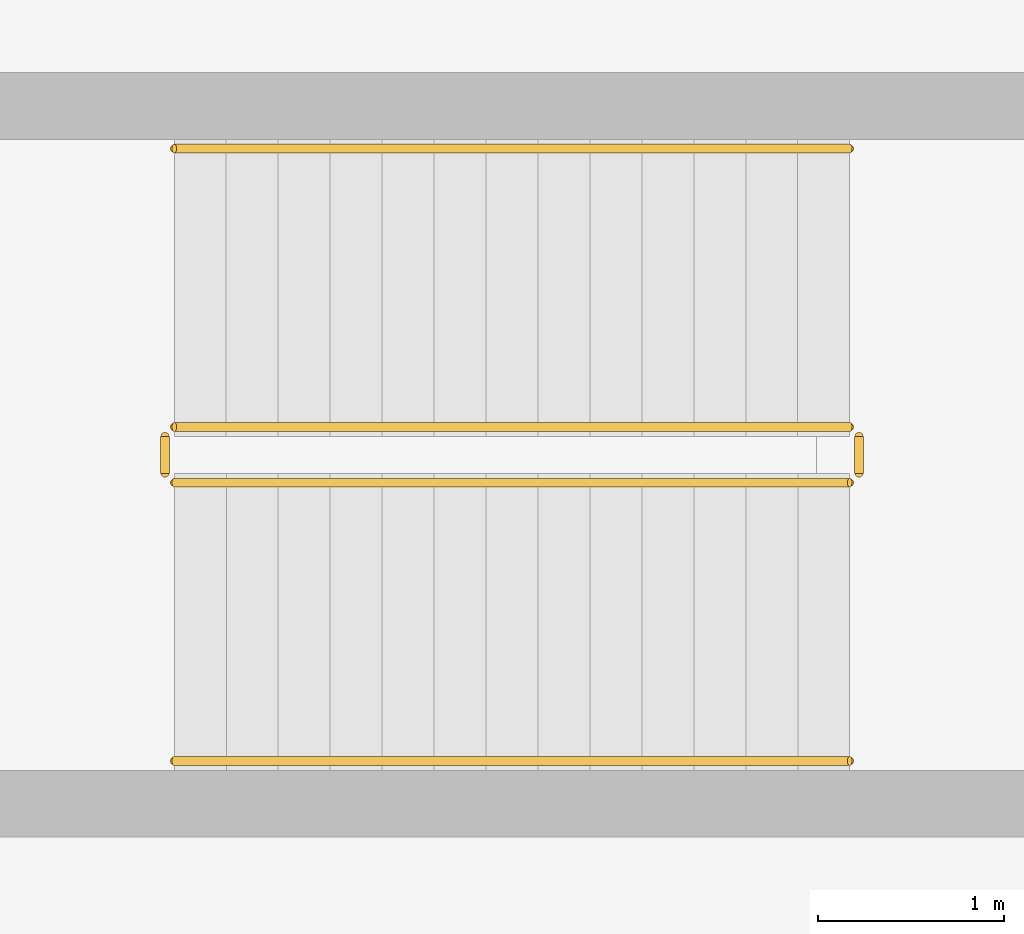
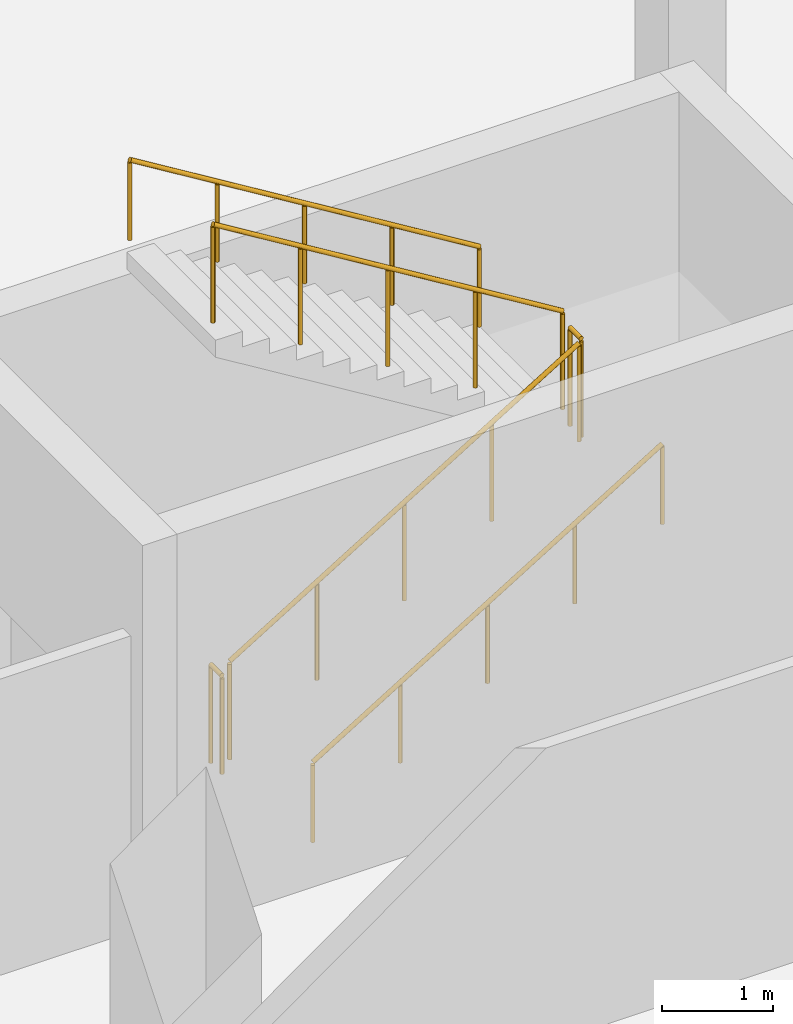
# One storey, part 26 of 28: 6 railings.
"""IFC4 building model written with IfcOpenShell, lengths in metres."""

import ifcopenshell
import ifcopenshell.guid

model = None  # the IFC model being written
_history = None  # IfcOwnerHistory: only IFC2X3 demands one
_inside = {}  # id of a spatial element -> (the spatial element, [elements in it])
_under = {}  # id of a project, library or spatial element -> (it, [spatial elements below it])
_declared = {}  # id of a project -> (the project, [libraries it declares])
_typed = {}  # id of a type object -> (the type object, [elements of that type])
_made_of = {}  # id of a material, layer set ... -> (it, [elements and type objects made of it])


def new_model(schema):
    """Start an empty IFC model of exactly this schema.

    Asked for "IFC4X3", IfcOpenShell would pick the latest addendum, in which some entities
    have other attributes; the version numbers below select the first issue.
    IFC2X3 requires an IfcOwnerHistory on every rooted entity: one is made here for all.
    """
    global model, _history
    if schema == "IFC4X3":
        model = ifcopenshell.file(schema_version=(4, 3, 0, 0))
    else:
        model = ifcopenshell.file(schema=schema)
    _inside.clear()
    _under.clear()
    _declared.clear()
    _typed.clear()
    _made_of.clear()
    _history = None
    if model.schema == "IFC2X3":
        org = make("IfcOrganization", Name="unknown")
        user = make(
            "IfcPersonAndOrganization",
            ThePerson=make("IfcPerson", FamilyName="unknown"),
            TheOrganization=org,
        )
        app = make(
            "IfcApplication",
            ApplicationDeveloper=org,
            Version="unknown",
            ApplicationFullName="unknown",
            ApplicationIdentifier="unknown",
        )
        _history = make(
            "IfcOwnerHistory",
            OwningUser=user,
            OwningApplication=app,
            ChangeAction="ADDED",
            CreationDate=0,
        )
    return model


def make(cls, **values):
    """One entity of the class cls with the attributes given. An attribute that is None is left unset."""
    return model.create_entity(
        cls, **{name: value for name, value in values.items() if value is not None}
    )


def rooted(cls, **values):
    """An entity with a GlobalId (a new one), such as an element, a storey or a relation."""
    return make(cls, GlobalId=ifcopenshell.guid.new(), OwnerHistory=_history, **values)


def si_unit(unit_type, name, prefix=None):
    """IfcSIUnit, for example si_unit("LENGTHUNIT", "METRE", prefix="MILLI")."""
    return make("IfcSIUnit", UnitType=unit_type, Prefix=prefix, Name=name)


def assignment(units):
    """IfcUnitAssignment: the units of a project."""
    return None if units is None else make("IfcUnitAssignment", Units=units)


def point(xyz):
    """IfcCartesianPoint."""
    return None if xyz is None else make("IfcCartesianPoint", Coordinates=xyz)


def direction(xyz):
    """IfcDirection."""
    return None if xyz is None else make("IfcDirection", DirectionRatios=xyz)


def frame(location, z_axis=None, x_axis=None):
    """IfcAxis2Placement3D, a coordinate frame: its origin and axes. An axis left out is left unset."""
    return make(
        "IfcAxis2Placement3D",
        Location=point(location),
        Axis=direction(z_axis),
        RefDirection=direction(x_axis),
    )


def frame_2d(location, x_axis=None):
    """IfcAxis2Placement2D, a coordinate frame in the plane: its origin and x axis."""
    return make(
        "IfcAxis2Placement2D", Location=point(location), RefDirection=direction(x_axis)
    )


def origin():
    """The frame at (0, 0, 0) with its axes left unset."""
    return frame((0.0, 0.0, 0.0))


def origin_2d():
    """The frame at (0, 0) in the plane with its x axis left unset."""
    return frame_2d((0.0, 0.0))


def place(relative_to, where):
    """IfcLocalPlacement: puts the frame where relative to a parent placement (None: the world)."""
    return make(
        "IfcLocalPlacement", PlacementRelTo=relative_to, RelativePlacement=where
    )


def context(
    kind, dimensions, precision=None, world=None, true_north=None, identifier=None
):
    """IfcGeometricRepresentationContext, for example the 3D "Model" context."""
    return make(
        "IfcGeometricRepresentationContext",
        ContextIdentifier=identifier,
        ContextType=kind,
        CoordinateSpaceDimension=dimensions,
        Precision=precision,
        WorldCoordinateSystem=world,
        TrueNorth=true_north,
    )


def subcontext(parent, identifier, kind, view, scale=None):
    """IfcGeometricRepresentationSubContext, for example "Body" below "Model"."""
    return make(
        "IfcGeometricRepresentationSubContext",
        ContextIdentifier=identifier,
        ContextType=kind,
        ParentContext=parent,
        TargetScale=scale,
        TargetView=view,
    )


def project(units=None, contexts=None):
    """IfcProject with its units and contexts."""
    return rooted(
        "IfcProject",
        Name="project",
        RepresentationContexts=contexts,
        UnitsInContext=assignment(units),
    )


def spatial(cls, under=None, at=None, **own):
    """A site, building, storey or space (cls), placed at a placement, below another one or the project."""
    s = rooted(cls, ObjectPlacement=at, **own)
    if under is not None:
        _under.setdefault(under.id(), (under, []))[1].append(s)
    return s


def profile(cls, at=None, kind="AREA", **sizes):
    """A parametric profile (cls). Its sizes go by their IFC names, for example OverallWidth=200.0."""
    return make(cls, ProfileType=kind, Position=at, **sizes)


def circle(**sizes):
    """IfcCircleProfileDef."""
    return profile("IfcCircleProfileDef", **sizes)


def extrude(swept, where, along, depth):
    """IfcExtrudedAreaSolid: the profile swept, set in the frame where, extruded along a direction by depth."""
    return make(
        "IfcExtrudedAreaSolid",
        SweptArea=swept,
        Position=where,
        ExtrudedDirection=direction(along),
        Depth=depth,
    )


def shape(context_of_items, identifier, shape_type, items):
    """IfcShapeRepresentation: the items that make up one representation, for example the "Body"."""
    return make(
        "IfcShapeRepresentation",
        ContextOfItems=context_of_items,
        RepresentationIdentifier=identifier,
        RepresentationType=shape_type,
        Items=items,
    )


def material(Name=None, Category=None):
    """IfcMaterial."""
    return make("IfcMaterial", Name=Name, Category=Category)


def made_of(thing, what):
    """Note that an element or type object is made of a material, layer set ...; save() writes the relation."""
    if what is not None:
        _made_of.setdefault(what.id(), (what, []))[1].append(thing)
    return thing


def type_object(cls, material=None, **own):
    """A type object (cls), such as IfcWallType, which elements share."""
    return made_of(rooted(cls, **own), material)


def element(
    cls,
    number,
    at=None,
    inside=None,
    cuts=None,
    type_object=None,
    material=None,
    context=None,
    identifier="Body",
    shape_type=None,
    held_by="IfcProductDefinitionShape",
    body=None,
    shapes=None,
    **own,
):
    """One element of the class cls, such as IfcWall. Its Tag is "e" and its number.

    at: its placement. inside: the storey or other place that contains it. cuts: it is an
    opening in that element (IfcRelVoidsElement). A single representation is given by context,
    identifier, shape_type and body (its items); several are given by shapes. held_by: the class
    of the entity that holds the representations. save() writes the other relations.
    """
    e = rooted(cls, Tag="e%d" % number, ObjectPlacement=at, **own)
    if body is not None:
        shapes = [shape(context, identifier, shape_type, body)]
    if shapes is not None:
        e.Representation = make(held_by, Representations=shapes)
    if inside is not None:
        _inside.setdefault(inside.id(), (inside, []))[1].append(e)
    if cuts is not None:
        rooted(
            "IfcRelVoidsElement", RelatingBuildingElement=cuts, RelatedOpeningElement=e
        )
    if type_object is not None:
        _typed.setdefault(type_object.id(), (type_object, []))[1].append(e)
    return made_of(e, material)


def aggregate(whole, parts):
    """IfcRelAggregates: a whole, such as a stair, and the parts it consists of."""
    return rooted("IfcRelAggregates", RelatingObject=whole, RelatedObjects=parts)


def save(model, path):
    """Write the relations noted so far, then the file.

    IfcRelAggregates (storeys below a building ...), IfcRelContainedInSpatialStructure (elements
    in a storey), IfcRelDefinesByType, IfcRelAssociatesMaterial and IfcRelDeclares: one each for
    every whole, place, type object, material and project.
    """
    for whole, parts in _under.values():
        aggregate(whole, parts)
    for where, things in _inside.values():
        rooted(
            "IfcRelContainedInSpatialStructure",
            RelatedElements=things,
            RelatingStructure=where,
        )
    for kind, things in _typed.values():
        rooted("IfcRelDefinesByType", RelatedObjects=things, RelatingType=kind)
    for what, things in _made_of.values():
        rooted("IfcRelAssociatesMaterial", RelatedObjects=things, RelatingMaterial=what)
    for by, libraries in _declared.values():
        rooted("IfcRelDeclares", RelatingContext=by, RelatedDefinitions=libraries)
    model.write(path)


model = new_model("IFC4")

# Units and contexts
model_context = context("Model", 3, precision=1e-05, world=origin(), true_north=direction((0.0, 1.0)))
body_context = subcontext(model_context, "Body", "Model", "MODEL_VIEW")
ifc_project = project(units=[si_unit("LENGTHUNIT", "METRE"), si_unit("AREAUNIT", "SQUARE_METRE"), si_unit("VOLUMEUNIT", "CUBIC_METRE"), si_unit("PLANEANGLEUNIT", "RADIAN"), si_unit("MASSUNIT", "GRAM", prefix="KILO")], contexts=[model_context])

# Site, building, storey
site_placement = place(None, origin())
site = spatial("IfcSite", under=ifc_project, at=site_placement, CompositionType="ELEMENT")
building_placement = place(site_placement, origin())
building = spatial("IfcBuilding", under=site, at=building_placement, Name="Zereglee Splitstone Museum", CompositionType="ELEMENT")
storey_placement = place(building_placement, frame((0.0, 0.0, -4.800048828125)))
storey = spatial("IfcBuildingStorey", under=building, at=storey_placement, Name="B1", CompositionType="ELEMENT", Elevation=-4.800048828125)

# Railings
ifc_material_1 = material(Name="Painted steel S355J2 post-and-baluster guard", Category="steel")
railing_type_1 = type_object("IfcRailingType", Name="GR-03", PredefinedType="BALUSTRADE", material=ifc_material_1)
railing_1_placement = place(storey_placement, frame((268.85009765625, 25.75, 0.17138671875)))
element("IfcRailing", 1, at=railing_1_placement, inside=storey, type_object=railing_type_1, Name="B1 ST-05 stair guard 1", PredefinedType="BALUSTRADE", context=body_context, shape_type="SweptSolid", body=[
    extrude(circle(Radius=0.02392578125, at=origin_2d()), frame((0.0, 0.0, 1.076416015625), z_axis=(0.852824790078, 0.0, 0.522197163366), x_axis=(0.0, 1.0, 0.0)), (0.0, 0.0, 1.0), 4.26806640625),
    extrude(circle(Radius=0.02099609375, at=origin_2d()), origin(), (0.0, 0.0, 1.0), 1.052001953125),
    extrude(circle(Radius=0.02099609375, at=origin_2d()), frame((0.909912109375, 0.0, 0.55712890625)), (0.0, 0.0, 1.0), 1.052001953125),
    extrude(circle(Radius=0.02099609375, at=origin_2d()), frame((1.81982421875, 0.0, 1.1142578125)), (0.0, 0.0, 1.0), 1.052001953125),
    extrude(circle(Radius=0.02099609375, at=origin_2d()), frame((2.72998046875, 0.0, 1.671630859375)), (0.0, 0.0, 1.0), 1.052001953125),
    extrude(circle(Radius=0.02099609375, at=origin_2d()), frame((3.639892578125, 0.0, 2.228759765625)), (0.0, 0.0, 1.0), 1.052001953125),
])
railing_2_placement = place(storey_placement, frame((272.5400390625, 25.800048828125, 2.400146484375)))
element("IfcRailing", 2, at=railing_2_placement, inside=storey, type_object=railing_type_1, Name="B1 ST-05 stair guard 2", PredefinedType="BALUSTRADE", context=body_context, shape_type="SweptSolid", body=[
    extrude(circle(Radius=0.02392578125, at=origin_2d()), frame((0.0, 0.0, 1.076416015625), z_axis=(0.0, 1.0, 0.0), x_axis=(-1.0, 0.0, 0.0)), (0.0, 0.0, 1.0), 0.199951171875),
    extrude(circle(Radius=0.02099609375, at=origin_2d()), origin(), (0.0, 0.0, 1.0), 1.052001953125),
    extrude(circle(Radius=0.02099609375, at=origin_2d()), frame((0.0, 0.199951171875, 0.0)), (0.0, 0.0, 1.0), 1.052001953125),
])
railing_3_placement = place(storey_placement, frame((272.489990234375, 26.050048828125, 2.571533203125)))
element("IfcRailing", 3, at=railing_3_placement, inside=storey, type_object=railing_type_1, Name="B1 ST-05 stair guard 3", PredefinedType="BALUSTRADE", context=body_context, shape_type="SweptSolid", body=[
    extrude(circle(Radius=0.02392578125, at=origin_2d()), frame((0.0, 0.0, 1.076416015625), z_axis=(-0.852850264322, 0.0, 0.5221555579), x_axis=(0.0, -1.0, 0.0)), (0.0, 0.0, 1.0), 4.267822265625),
    extrude(circle(Radius=0.02099609375, at=origin_2d()), origin(), (0.0, 0.0, 1.0), 1.052001953125),
    extrude(circle(Radius=0.02099609375, at=origin_2d()), frame((-0.909912109375, 0.0, 0.55712890625)), (0.0, 0.0, 1.0), 1.052001953125),
    extrude(circle(Radius=0.02099609375, at=origin_2d()), frame((-1.81982421875, 0.0, 1.1142578125)), (0.0, 0.0, 1.0), 1.052001953125),
    extrude(circle(Radius=0.02099609375, at=origin_2d()), frame((-2.72998046875, 0.0, 1.67138671875)), (0.0, 0.0, 1.0), 1.052001953125),
    extrude(circle(Radius=0.02099609375, at=origin_2d()), frame((-3.639892578125, 0.0, 2.228515625)), (0.0, 0.0, 1.0), 1.052001953125),
])
railing_4_placement = place(storey_placement, frame((268.800048828125, 25.800048828125, 0.0)))
element("IfcRailing", 4, at=railing_4_placement, inside=storey, type_object=railing_type_1, Name="B1 ST-05 stair guard 4", PredefinedType="BALUSTRADE", context=body_context, shape_type="SweptSolid", body=[
    extrude(circle(Radius=0.02392578125, at=origin_2d()), frame((0.0, 0.0, 1.076416015625), z_axis=(0.0, 1.0, 0.0), x_axis=(-1.0, 0.0, 0.0)), (0.0, 0.0, 1.0), 0.199951171875),
    extrude(circle(Radius=0.02099609375, at=origin_2d()), origin(), (0.0, 0.0, 1.0), 1.052001953125),
    extrude(circle(Radius=0.02099609375, at=origin_2d()), frame((0.0, 0.199951171875, 0.0)), (0.0, 0.0, 1.0), 1.052001953125),
])
ifc_material_2 = material(Name="Architectural bronze tubular handrail", Category="steel")
railing_type_2 = type_object("IfcRailingType", Name="HR-01", PredefinedType="HANDRAIL", material=ifc_material_2)
railing_5_placement = place(storey_placement, frame((268.85009765625, 24.25, 0.17138671875)))
element("IfcRailing", 5, at=railing_5_placement, inside=storey, type_object=railing_type_2, Name="B1 ST-05 stair handrail 1", PredefinedType="HANDRAIL", context=body_context, shape_type="SweptSolid", body=[
    extrude(circle(Radius=0.02392578125, at=origin_2d()), frame((0.0, 0.0, 0.8759765625), z_axis=(0.852824790078, 0.0, 0.522197163366), x_axis=(0.0, 1.0, 0.0)), (0.0, 0.0, 1.0), 4.26806640625),
    extrude(circle(Radius=0.02099609375, at=origin_2d()), origin(), (0.0, 0.0, 1.0), 0.851806640625),
    extrude(circle(Radius=0.02099609375, at=origin_2d()), frame((0.909912109375, 0.0, 0.55712890625)), (0.0, 0.0, 1.0), 0.851806640625),
    extrude(circle(Radius=0.02099609375, at=origin_2d()), frame((1.81982421875, 0.0, 1.1142578125)), (0.0, 0.0, 1.0), 0.851806640625),
    extrude(circle(Radius=0.02099609375, at=origin_2d()), frame((2.72998046875, 0.0, 1.671630859375)), (0.0, 0.0, 1.0), 0.851806640625),
    extrude(circle(Radius=0.02099609375, at=origin_2d()), frame((3.639892578125, 0.0, 2.228759765625)), (0.0, 0.0, 1.0), 0.851806640625),
])
railing_6_placement = place(storey_placement, frame((272.489990234375, 27.550048828125, 2.571533203125)))
element("IfcRailing", 6, at=railing_6_placement, inside=storey, type_object=railing_type_2, Name="B1 ST-05 stair handrail 2", PredefinedType="HANDRAIL", context=body_context, shape_type="SweptSolid", body=[
    extrude(circle(Radius=0.02392578125, at=origin_2d()), frame((0.0, 0.0, 0.8759765625), z_axis=(-0.852850264322, 0.0, 0.5221555579), x_axis=(0.0, -1.0, 0.0)), (0.0, 0.0, 1.0), 4.267822265625),
    extrude(circle(Radius=0.02099609375, at=origin_2d()), origin(), (0.0, 0.0, 1.0), 0.851806640625),
    extrude(circle(Radius=0.02099609375, at=origin_2d()), frame((-0.909912109375, 0.0, 0.55712890625)), (0.0, 0.0, 1.0), 0.851806640625),
    extrude(circle(Radius=0.02099609375, at=origin_2d()), frame((-1.81982421875, 0.0, 1.1142578125)), (0.0, 0.0, 1.0), 0.851806640625),
    extrude(circle(Radius=0.02099609375, at=origin_2d()), frame((-2.72998046875, 0.0, 1.67138671875)), (0.0, 0.0, 1.0), 0.851806640625),
    extrude(circle(Radius=0.02099609375, at=origin_2d()), frame((-3.639892578125, 0.0, 2.228515625)), (0.0, 0.0, 1.0), 0.851806640625),
])

save(model, "model.ifc")
